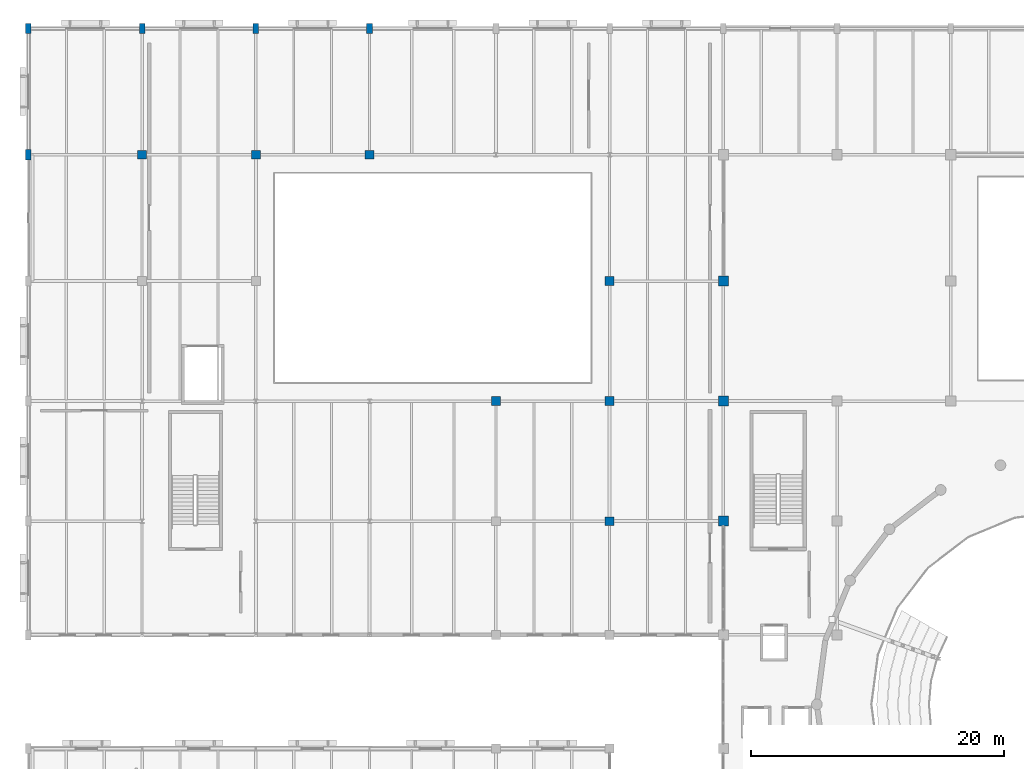
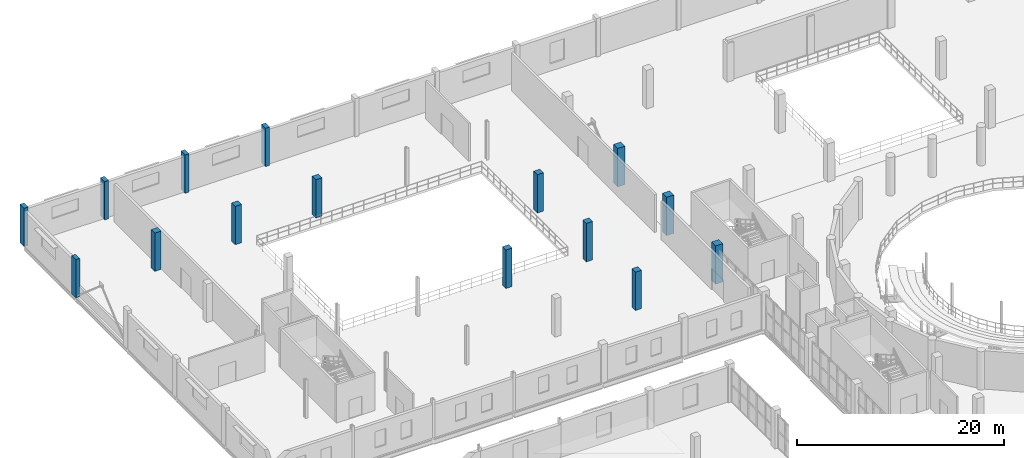
# One storey, part 14 of 93: 15 columns.
"""IFC4 building model written with IfcOpenShell, lengths in metres."""

from ifc_helpers import new_model, si_unit, direction, frame, origin, origin_2d, place, context, subcontext, project, spatial, rectangle, extrude, material, material_profile, profile_set, type_object, element, save


model = new_model("IFC4")

# Units and contexts
model_context = context("Model", 3, precision=1e-05, world=origin(), true_north=direction((0.0, 1.0)))
body_context = subcontext(model_context, "Body", "Model", "MODEL_VIEW")
ifc_project = project(units=[si_unit("LENGTHUNIT", "METRE"), si_unit("AREAUNIT", "SQUARE_METRE"), si_unit("VOLUMEUNIT", "CUBIC_METRE"), si_unit("PLANEANGLEUNIT", "RADIAN"), si_unit("MASSUNIT", "GRAM", prefix="KILO")], contexts=[model_context])

# Site, building, storey
site_placement = place(None, origin())
site = spatial("IfcSite", under=ifc_project, at=site_placement, CompositionType="ELEMENT")
building_placement = place(site_placement, origin())
building = spatial("IfcBuilding", under=site, at=building_placement, Name="Marnock Terrace Opera House", CompositionType="ELEMENT")
storey_placement = place(building_placement, frame((0.0, 0.0, 5.39990234375)))
storey = spatial("IfcBuildingStorey", under=building, at=storey_placement, Name="L01", CompositionType="ELEMENT", Elevation=5.39990234375)

# Columns
ifc_material_1 = material(Name="Concrete N40 (f'c = 40 MPa)", Category="concrete")
ifc_material_profile_1 = material_profile(ifc_material_1, rectangle(XDim=0.449951171875, YDim=0.800048828125, at=origin_2d()))
ifc_profile_set_1 = profile_set([ifc_material_profile_1], Name="Concrete N40 (f'c = 40 MPa)")
column_type_1 = type_object("IfcColumnType", Name="COL-PIL-800", PredefinedType="PILASTER", material=ifc_profile_set_1)
for number, where, z_axis, x_axis, name in (
    (1, (0.0, 104.0, 0.0), (0.0, 0.0, 1.0), (1.0, 0.0, 0.0), "L01 column at (0.0, 104.0)"),
    (2, (0.0, 114.0, 0.0), (0.0, 0.0, 1.0), (1.0, 0.0, 0.0), "L01 column at (0.0, 114.0)"),
    (3, (9.0, 114.0, 0.0), (0.0, 0.0, 1.0), (1.0, 0.0, 0.0), "L01 column at (9.0, 114.0)"),
    (4, (18.0, 114.0, 0.0), (0.0, 0.0, 1.0), (1.0, 0.0, 0.0), "L01 column at (18.0, 114.0)"),
    (5, (27.0, 114.0, 0.0), (0.0, 0.0, 1.0), (1.0, 0.0, 0.0), "L01 column at (27.0, 114.0)"),
):
    element("IfcColumn", number, at=place(storey_placement, frame(where, z_axis=z_axis, x_axis=x_axis)), inside=storey, type_object=column_type_1, Name=name, PredefinedType="PILASTER", context=body_context, shape_type="SweptSolid", body=[
        extrude(rectangle(XDim=0.449951171875, YDim=0.800048828125, at=origin_2d()), origin(), (0.0, 0.0, 1.0), 4.5400390625),
    ])
ifc_material_profile_2 = material_profile(ifc_material_1, rectangle(XDim=0.699951171875, YDim=0.699951171875, at=origin_2d()))
ifc_profile_set_2 = profile_set([ifc_material_profile_2], Name="Concrete N40 (f'c = 40 MPa)")
column_type_2 = type_object("IfcColumnType", Name="COL-RC700", PredefinedType="COLUMN", material=ifc_profile_set_2)
for number, where, z_axis, x_axis, name in (
    (6, (9.0, 104.0, 0.0), (0.0, 0.0, 1.0), (1.0, 0.0, 0.0), "L01 column at (9.0, 104.0)"),
    (7, (18.0, 104.0, 0.0), (0.0, 0.0, 1.0), (1.0, 0.0, 0.0), "L01 column at (18.0, 104.0)"),
    (8, (27.0, 104.0, 0.0), (0.0, 0.0, 1.0), (1.0, 0.0, 0.0), "L01 column at (27.0, 104.0)"),
    (9, (37.0, 84.5, 0.0), (0.0, 0.0, 1.0), (1.0, 0.0, 0.0), "L01 column at (37.0, 84.5)"),
    (10, (46.0, 75.0, 0.0), (0.0, 0.0, 1.0), (1.0, 0.0, 0.0), "L01 column at (46.0, 75.0)"),
    (11, (46.0, 84.5, 0.0), (0.0, 0.0, 1.0), (1.0, 0.0, 0.0), "L01 column at (46.0, 84.5)"),
    (12, (46.0, 94.0, 0.0), (0.0, 0.0, 1.0), (1.0, 0.0, 0.0), "L01 column at (46.0, 94.0)"),
):
    element("IfcColumn", number, at=place(storey_placement, frame(where, z_axis=z_axis, x_axis=x_axis)), inside=storey, type_object=column_type_2, Name=name, PredefinedType="COLUMN", context=body_context, shape_type="SweptSolid", body=[
        extrude(rectangle(XDim=0.699951171875, YDim=0.699951171875, at=origin_2d()), origin(), (0.0, 0.0, 1.0), 4.5400390625),
    ])
ifc_material_2 = material(Name="Concrete N50 (f'c = 50 MPa)", Category="concrete")
ifc_material_profile_3 = material_profile(ifc_material_2, rectangle(XDim=0.800048828125, YDim=0.800048828125, at=origin_2d()))
ifc_profile_set_3 = profile_set([ifc_material_profile_3], Name="Concrete N50 (f'c = 50 MPa)")
column_type_3 = type_object("IfcColumnType", Name="COL-RC800", PredefinedType="COLUMN", material=ifc_profile_set_3)
for number, where, z_axis, x_axis, name in (
    (13, (55.0, 75.0, 0.0), (0.0, 0.0, 1.0), (1.0, 0.0, 0.0), "L01 column at (55.0, 75.0)"),
    (14, (55.0, 84.5, 0.0), (0.0, 0.0, 1.0), (1.0, 0.0, 0.0), "L01 column at (55.0, 84.5)"),
    (15, (55.0, 94.0, 0.0), (0.0, 0.0, 1.0), (1.0, 0.0, 0.0), "L01 column at (55.0, 94.0)"),
):
    element("IfcColumn", number, at=place(storey_placement, frame(where, z_axis=z_axis, x_axis=x_axis)), inside=storey, type_object=column_type_3, Name=name, PredefinedType="COLUMN", context=body_context, shape_type="SweptSolid", body=[
        extrude(rectangle(XDim=0.800048828125, YDim=0.800048828125, at=origin_2d()), origin(), (0.0, 0.0, 1.0), 4.5400390625),
    ])

save(model, "model.ifc")
